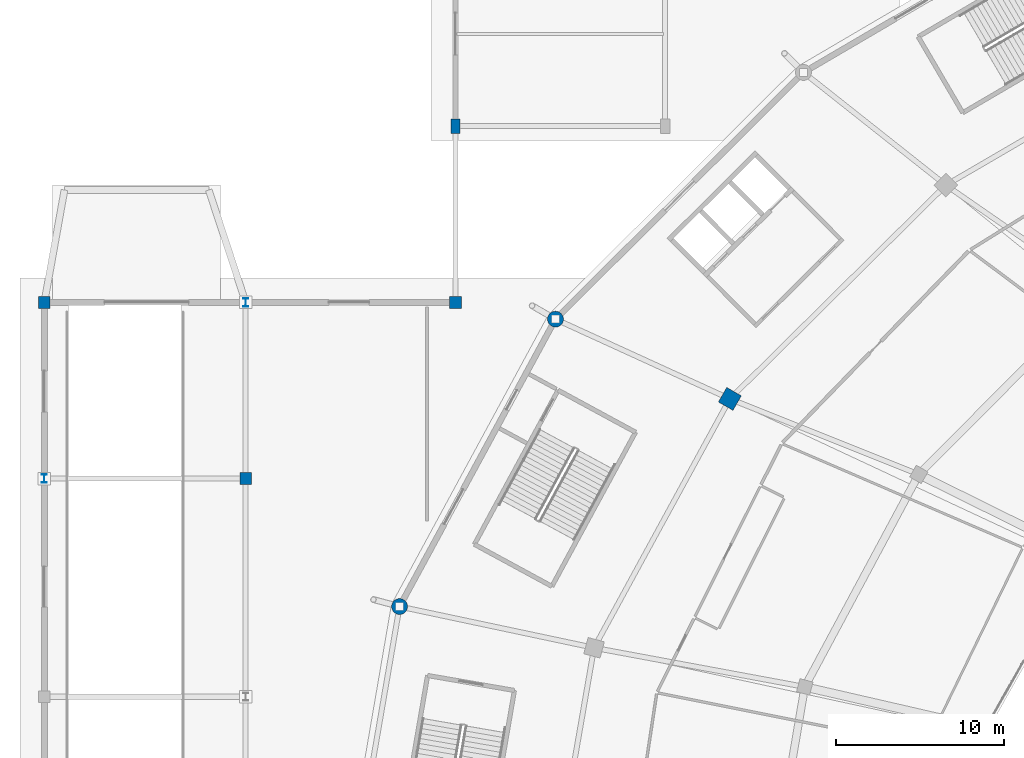
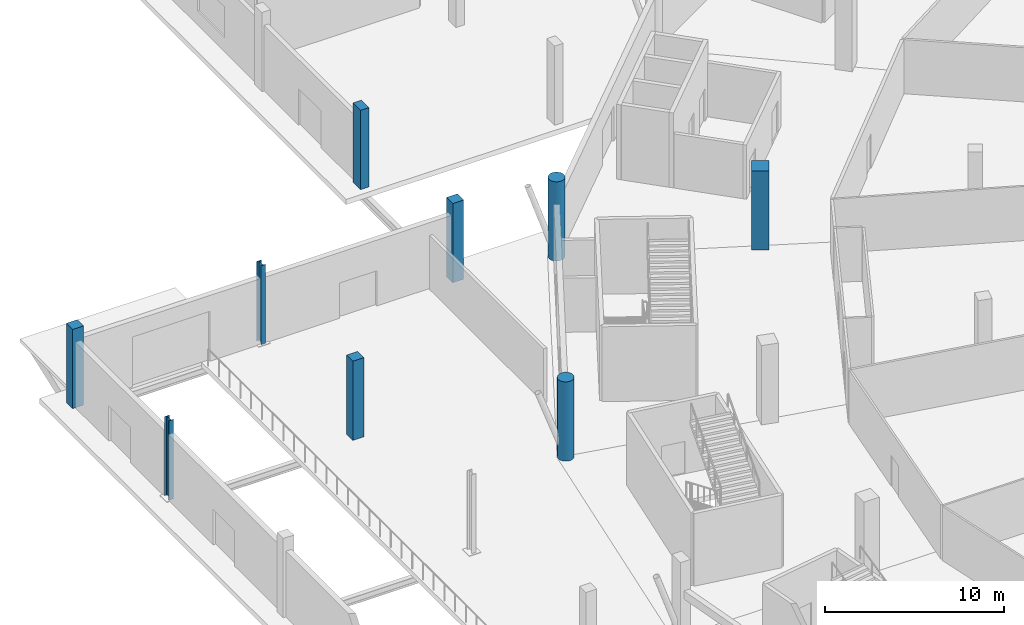
# One storey, part 9 of 82: 9 columns.
"""IFC4 building model written with IfcOpenShell, lengths in metres."""

import ifcopenshell
import ifcopenshell.guid

model = None  # the IFC model being written
_history = None  # IfcOwnerHistory: only IFC2X3 demands one
_inside = {}  # id of a spatial element -> (the spatial element, [elements in it])
_under = {}  # id of a project, library or spatial element -> (it, [spatial elements below it])
_declared = {}  # id of a project -> (the project, [libraries it declares])
_typed = {}  # id of a type object -> (the type object, [elements of that type])
_made_of = {}  # id of a material, layer set ... -> (it, [elements and type objects made of it])


def new_model(schema):
    """Start an empty IFC model of exactly this schema.

    Asked for "IFC4X3", IfcOpenShell would pick the latest addendum, in which some entities
    have other attributes; the version numbers below select the first issue.
    IFC2X3 requires an IfcOwnerHistory on every rooted entity: one is made here for all.
    """
    global model, _history
    if schema == "IFC4X3":
        model = ifcopenshell.file(schema_version=(4, 3, 0, 0))
    else:
        model = ifcopenshell.file(schema=schema)
    _inside.clear()
    _under.clear()
    _declared.clear()
    _typed.clear()
    _made_of.clear()
    _history = None
    if model.schema == "IFC2X3":
        org = make("IfcOrganization", Name="unknown")
        user = make(
            "IfcPersonAndOrganization",
            ThePerson=make("IfcPerson", FamilyName="unknown"),
            TheOrganization=org,
        )
        app = make(
            "IfcApplication",
            ApplicationDeveloper=org,
            Version="unknown",
            ApplicationFullName="unknown",
            ApplicationIdentifier="unknown",
        )
        _history = make(
            "IfcOwnerHistory",
            OwningUser=user,
            OwningApplication=app,
            ChangeAction="ADDED",
            CreationDate=0,
        )
    return model


def make(cls, **values):
    """One entity of the class cls with the attributes given. An attribute that is None is left unset."""
    return model.create_entity(
        cls, **{name: value for name, value in values.items() if value is not None}
    )


def rooted(cls, **values):
    """An entity with a GlobalId (a new one), such as an element, a storey or a relation."""
    return make(cls, GlobalId=ifcopenshell.guid.new(), OwnerHistory=_history, **values)


def si_unit(unit_type, name, prefix=None):
    """IfcSIUnit, for example si_unit("LENGTHUNIT", "METRE", prefix="MILLI")."""
    return make("IfcSIUnit", UnitType=unit_type, Prefix=prefix, Name=name)


def assignment(units):
    """IfcUnitAssignment: the units of a project."""
    return None if units is None else make("IfcUnitAssignment", Units=units)


def point(xyz):
    """IfcCartesianPoint."""
    return None if xyz is None else make("IfcCartesianPoint", Coordinates=xyz)


def direction(xyz):
    """IfcDirection."""
    return None if xyz is None else make("IfcDirection", DirectionRatios=xyz)


def frame(location, z_axis=None, x_axis=None):
    """IfcAxis2Placement3D, a coordinate frame: its origin and axes. An axis left out is left unset."""
    return make(
        "IfcAxis2Placement3D",
        Location=point(location),
        Axis=direction(z_axis),
        RefDirection=direction(x_axis),
    )


def frame_2d(location, x_axis=None):
    """IfcAxis2Placement2D, a coordinate frame in the plane: its origin and x axis."""
    return make(
        "IfcAxis2Placement2D", Location=point(location), RefDirection=direction(x_axis)
    )


def origin():
    """The frame at (0, 0, 0) with its axes left unset."""
    return frame((0.0, 0.0, 0.0))


def origin_2d():
    """The frame at (0, 0) in the plane with its x axis left unset."""
    return frame_2d((0.0, 0.0))


def place(relative_to, where):
    """IfcLocalPlacement: puts the frame where relative to a parent placement (None: the world)."""
    return make(
        "IfcLocalPlacement", PlacementRelTo=relative_to, RelativePlacement=where
    )


def context(
    kind, dimensions, precision=None, world=None, true_north=None, identifier=None
):
    """IfcGeometricRepresentationContext, for example the 3D "Model" context."""
    return make(
        "IfcGeometricRepresentationContext",
        ContextIdentifier=identifier,
        ContextType=kind,
        CoordinateSpaceDimension=dimensions,
        Precision=precision,
        WorldCoordinateSystem=world,
        TrueNorth=true_north,
    )


def subcontext(parent, identifier, kind, view, scale=None):
    """IfcGeometricRepresentationSubContext, for example "Body" below "Model"."""
    return make(
        "IfcGeometricRepresentationSubContext",
        ContextIdentifier=identifier,
        ContextType=kind,
        ParentContext=parent,
        TargetScale=scale,
        TargetView=view,
    )


def project(units=None, contexts=None):
    """IfcProject with its units and contexts."""
    return rooted(
        "IfcProject",
        Name="project",
        RepresentationContexts=contexts,
        UnitsInContext=assignment(units),
    )


def spatial(cls, under=None, at=None, **own):
    """A site, building, storey or space (cls), placed at a placement, below another one or the project."""
    s = rooted(cls, ObjectPlacement=at, **own)
    if under is not None:
        _under.setdefault(under.id(), (under, []))[1].append(s)
    return s


def profile(cls, at=None, kind="AREA", **sizes):
    """A parametric profile (cls). Its sizes go by their IFC names, for example OverallWidth=200.0."""
    return make(cls, ProfileType=kind, Position=at, **sizes)


def rectangle(**sizes):
    """IfcRectangleProfileDef."""
    return profile("IfcRectangleProfileDef", **sizes)


def circle(**sizes):
    """IfcCircleProfileDef."""
    return profile("IfcCircleProfileDef", **sizes)


def i_section(**sizes):
    """IfcIShapeProfileDef."""
    return profile("IfcIShapeProfileDef", **sizes)


def extrude(swept, where, along, depth):
    """IfcExtrudedAreaSolid: the profile swept, set in the frame where, extruded along a direction by depth."""
    return make(
        "IfcExtrudedAreaSolid",
        SweptArea=swept,
        Position=where,
        ExtrudedDirection=direction(along),
        Depth=depth,
    )


def shape(context_of_items, identifier, shape_type, items):
    """IfcShapeRepresentation: the items that make up one representation, for example the "Body"."""
    return make(
        "IfcShapeRepresentation",
        ContextOfItems=context_of_items,
        RepresentationIdentifier=identifier,
        RepresentationType=shape_type,
        Items=items,
    )


def material(Name=None, Category=None):
    """IfcMaterial."""
    return make("IfcMaterial", Name=Name, Category=Category)


def material_profile(
    of_material, cross_section, Name=None, Category=None, Priority=None
):
    """IfcMaterialProfile: a cross section and its material."""
    return make(
        "IfcMaterialProfile",
        Name=Name,
        Material=of_material,
        Profile=cross_section,
        Priority=Priority,
        Category=Category,
    )


def profile_set(profiles, Name=None, composite=None):
    """IfcMaterialProfileSet."""
    return make(
        "IfcMaterialProfileSet",
        Name=Name,
        MaterialProfiles=profiles,
        CompositeProfile=composite,
    )


def made_of(thing, what):
    """Note that an element or type object is made of a material, layer set ...; save() writes the relation."""
    if what is not None:
        _made_of.setdefault(what.id(), (what, []))[1].append(thing)
    return thing


def type_object(cls, material=None, **own):
    """A type object (cls), such as IfcWallType, which elements share."""
    return made_of(rooted(cls, **own), material)


def element(
    cls,
    number,
    at=None,
    inside=None,
    cuts=None,
    type_object=None,
    material=None,
    context=None,
    identifier="Body",
    shape_type=None,
    held_by="IfcProductDefinitionShape",
    body=None,
    shapes=None,
    **own,
):
    """One element of the class cls, such as IfcWall. Its Tag is "e" and its number.

    at: its placement. inside: the storey or other place that contains it. cuts: it is an
    opening in that element (IfcRelVoidsElement). A single representation is given by context,
    identifier, shape_type and body (its items); several are given by shapes. held_by: the class
    of the entity that holds the representations. save() writes the other relations.
    """
    e = rooted(cls, Tag="e%d" % number, ObjectPlacement=at, **own)
    if body is not None:
        shapes = [shape(context, identifier, shape_type, body)]
    if shapes is not None:
        e.Representation = make(held_by, Representations=shapes)
    if inside is not None:
        _inside.setdefault(inside.id(), (inside, []))[1].append(e)
    if cuts is not None:
        rooted(
            "IfcRelVoidsElement", RelatingBuildingElement=cuts, RelatedOpeningElement=e
        )
    if type_object is not None:
        _typed.setdefault(type_object.id(), (type_object, []))[1].append(e)
    return made_of(e, material)


def aggregate(whole, parts):
    """IfcRelAggregates: a whole, such as a stair, and the parts it consists of."""
    return rooted("IfcRelAggregates", RelatingObject=whole, RelatedObjects=parts)


def save(model, path):
    """Write the relations noted so far, then the file.

    IfcRelAggregates (storeys below a building ...), IfcRelContainedInSpatialStructure (elements
    in a storey), IfcRelDefinesByType, IfcRelAssociatesMaterial and IfcRelDeclares: one each for
    every whole, place, type object, material and project.
    """
    for whole, parts in _under.values():
        aggregate(whole, parts)
    for where, things in _inside.values():
        rooted(
            "IfcRelContainedInSpatialStructure",
            RelatedElements=things,
            RelatingStructure=where,
        )
    for kind, things in _typed.values():
        rooted("IfcRelDefinesByType", RelatedObjects=things, RelatingType=kind)
    for what, things in _made_of.values():
        rooted("IfcRelAssociatesMaterial", RelatedObjects=things, RelatingMaterial=what)
    for by, libraries in _declared.values():
        rooted("IfcRelDeclares", RelatingContext=by, RelatedDefinitions=libraries)
    model.write(path)


model = new_model("IFC4")

# Units and contexts
model_context = context("Model", 3, precision=1e-05, world=origin(), true_north=direction((0.0, 1.0)))
body_context = subcontext(model_context, "Body", "Model", "MODEL_VIEW")
ifc_project = project(units=[si_unit("LENGTHUNIT", "METRE"), si_unit("AREAUNIT", "SQUARE_METRE"), si_unit("VOLUMEUNIT", "CUBIC_METRE"), si_unit("PLANEANGLEUNIT", "RADIAN"), si_unit("MASSUNIT", "GRAM", prefix="KILO")], contexts=[model_context])

# Site, building, storey
site_placement = place(None, origin())
site = spatial("IfcSite", under=ifc_project, at=site_placement, CompositionType="ELEMENT")
building_placement = place(site_placement, origin())
building = spatial("IfcBuilding", under=site, at=building_placement, Name="Zlatoyarsky Gate Stadium", CompositionType="ELEMENT")
storey_placement = place(building_placement, origin())
storey = spatial("IfcBuildingStorey", under=building, at=storey_placement, Name="L00", CompositionType="ELEMENT", Elevation=0.0)

# Columns
ifc_material_1 = material(Name="Concrete C40/50", Category="concrete")
ifc_material_profile_1 = material_profile(ifc_material_1, circle(Radius=0.47509765625, at=origin_2d()), Name="RC COL D950")
ifc_profile_set_1 = profile_set([ifc_material_profile_1], Name="Concrete C40/50")
column_type_1 = type_object("IfcColumnType", Name="CONCRETE CIRCULAR COLUMN D950", PredefinedType="COLUMN", material=ifc_profile_set_1)
for number, where, z_axis, x_axis, name in (
    (1, (30.459716796875, 115.5, 0.0), (0.0, 0.0, 1.0), (-0.866025403784, 0.5, 0.0), "Column RC-CD95 RC-10 on L00"),
    (2, (21.1689453125, 98.376220703125, 0.0), (0.0, 0.0, 1.0), (-0.965925826289, 0.258819045103, 0.0), "Column RC-CD95 RC-11 on L00"),
):
    element("IfcColumn", number, at=place(storey_placement, frame(where, z_axis=z_axis, x_axis=x_axis)), inside=storey, type_object=column_type_1, Name=name, PredefinedType="COLUMN", context=body_context, shape_type="SweptSolid", body=[
        extrude(circle(Radius=0.47509765625, at=origin_2d()), origin(), (0.0, 0.0, 1.0), 5.39990234375),
    ])
ifc_material_profile_2 = material_profile(ifc_material_1, rectangle(XDim=1.0, YDim=1.0, at=origin_2d()), Name="RC COL 1000X1000")
ifc_profile_set_2 = profile_set([ifc_material_profile_2], Name="Concrete C40/50")
column_type_2 = type_object("IfcColumnType", Name="CONCRETE COLUMN 1000X1000", PredefinedType="COLUMN", material=ifc_profile_set_2)
column_1_placement = place(storey_placement, frame((40.851806640625, 110.75, 0.0), z_axis=(0.0, 0.0, 1.0), x_axis=(-0.866025403784, 0.5, 0.0)))
element("IfcColumn", 3, at=column_1_placement, inside=storey, type_object=column_type_2, Name="Column RC-C100 RB-10 on L00", PredefinedType="COLUMN", context=body_context, shape_type="SweptSolid", body=[
    extrude(rectangle(XDim=1.0, YDim=1.0, at=origin_2d()), origin(), (0.0, 0.0, 1.0), 5.39990234375),
])
ifc_material_profile_3 = material_profile(ifc_material_1, rectangle(XDim=0.699951171875, YDim=0.699951171875, at=origin_2d()), Name="RC COL 700X700")
ifc_profile_set_3 = profile_set([ifc_material_profile_3], Name="Concrete C40/50")
column_type_3 = type_object("IfcColumnType", Name="CONCRETE COLUMN 700X700", PredefinedType="COLUMN", material=ifc_profile_set_3)
for number, where, z_axis, x_axis, name in (
    (4, (0.0, 116.5, 0.0), (0.0, 0.0, 1.0), (1.0, 0.0, 0.0), "Column RC-C70 WG-1-L on L00"),
    (5, (12.0, 106.0, 0.0), (0.0, 0.0, 1.0), (1.0, 0.0, 0.0), "Column RC-C70 WG-2-K on L00"),
    (6, (24.5, 116.5, 0.0), (0.0, 0.0, 1.0), (1.0, 0.0, 0.0), "Column RC-C70 WG-3-L on L00"),
):
    element("IfcColumn", number, at=place(storey_placement, frame(where, z_axis=z_axis, x_axis=x_axis)), inside=storey, type_object=column_type_3, Name=name, PredefinedType="COLUMN", context=body_context, shape_type="SweptSolid", body=[
        extrude(rectangle(XDim=0.699951171875, YDim=0.699951171875, at=origin_2d()), origin(), (0.0, 0.0, 1.0), 5.39990234375),
    ])
ifc_material_profile_4 = material_profile(ifc_material_1, rectangle(XDim=0.550048828125, YDim=0.85009765625, at=origin_2d()), Name="RC PILASTER 550X850")
ifc_profile_set_4 = profile_set([ifc_material_profile_4], Name="Concrete C40/50")
column_type_4 = type_object("IfcColumnType", Name="CONCRETE PORTAL PILASTER 550X850", PredefinedType="PILASTER", material=ifc_profile_set_4)
column_2_placement = place(storey_placement, frame((24.5, 127.0, 0.0), z_axis=(0.0, 0.0, 1.0), x_axis=(1.0, 0.0, 0.0)))
element("IfcColumn", 7, at=column_2_placement, inside=storey, type_object=column_type_4, Name="Column RC-PL85 WG-3-M on L00", PredefinedType="PILASTER", context=body_context, shape_type="SweptSolid", body=[
    extrude(rectangle(XDim=0.550048828125, YDim=0.85009765625, at=origin_2d()), origin(), (0.0, 0.0, 1.0), 5.39990234375),
])
ifc_material_2 = material(Name="Steel S355", Category="steel")
ifc_material_profile_5 = material_profile(ifc_material_2, i_section(OverallWidth=0.300048828125, OverallDepth=0.5, WebThickness=0.014404296875, FlangeThickness=0.028076171875, FilletRadius=0.027099609375, at=origin_2d()), Name="HEB 500")
ifc_profile_set_5 = profile_set([ifc_material_profile_5], Name="Steel S355")
column_type_5 = type_object("IfcColumnType", Name="STEEL COLUMN HEB 500", PredefinedType="COLUMN", material=ifc_profile_set_5)
for number, where, z_axis, x_axis, name in (
    (8, (0.0, 106.0, 0.0), (0.0, 0.0, 1.0), (1.0, 0.0, 0.0), "Column ST-C500 WG-1-K on L00"),
    (9, (12.0, 116.5, 0.0), (0.0, 0.0, 1.0), (1.0, 0.0, 0.0), "Column ST-C500 WG-2-L on L00"),
):
    element("IfcColumn", number, at=place(storey_placement, frame(where, z_axis=z_axis, x_axis=x_axis)), inside=storey, type_object=column_type_5, Name=name, PredefinedType="COLUMN", context=body_context, shape_type="SweptSolid", body=[
        extrude(i_section(OverallWidth=0.300048828125, OverallDepth=0.5, WebThickness=0.014404296875, FlangeThickness=0.028076171875, FilletRadius=0.027099609375, at=origin_2d()), origin(), (0.0, 0.0, 1.0), 5.39990234375),
    ])

save(model, "model.ifc")
